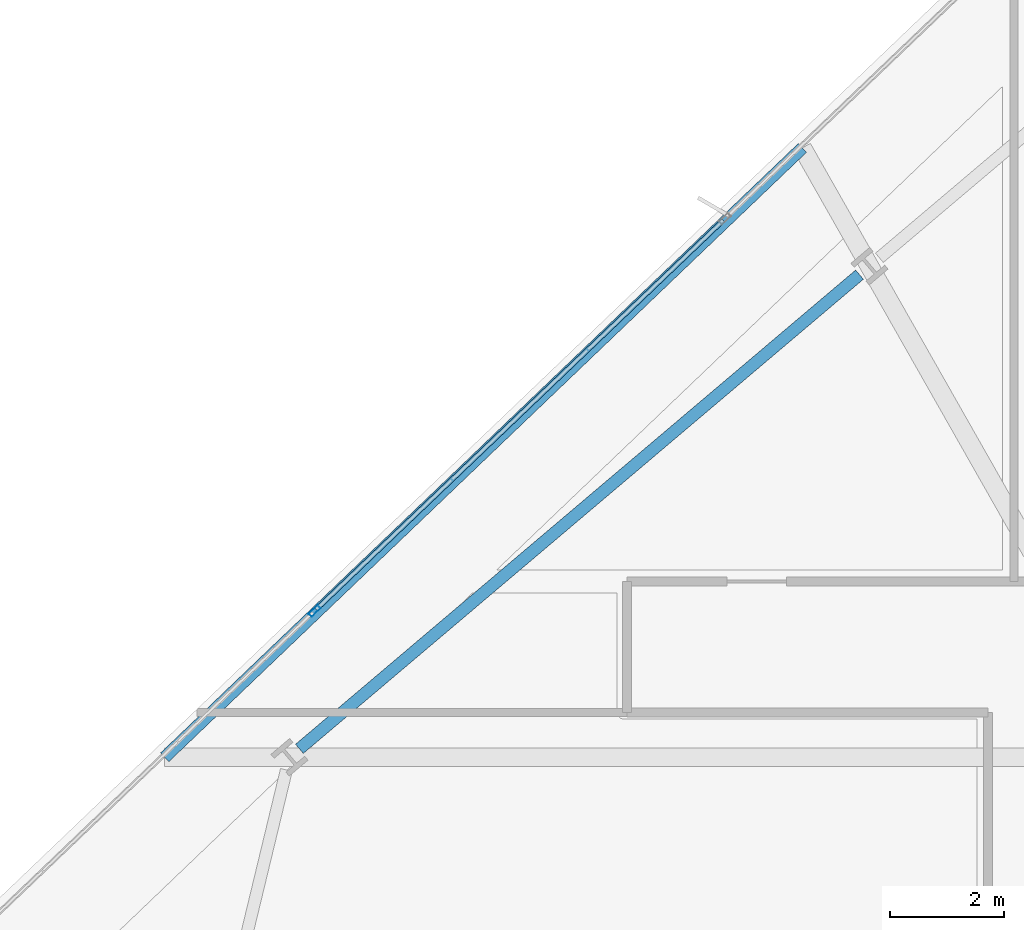
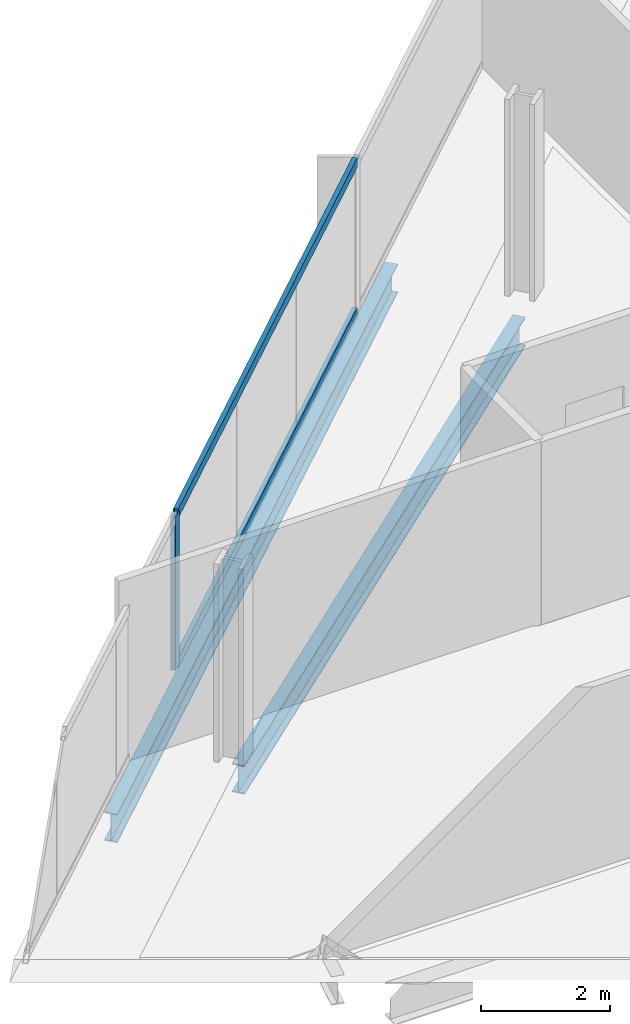
# One storey, part 15 of 33: 3 members, 2 beams, 1 element without a shape of its own.
"""IFC4 building model written with IfcOpenShell, lengths in metres."""

from ifc_helpers import new_model, si_unit, direction, frame, origin, origin_2d, place, context, subcontext, project, spatial, hollow_rectangle, i_section, extrude, material, material_profile, profile_set, type_object, element, aggregate, save


model = new_model("IFC4")

# Units and contexts
model_context = context("Model", 3, precision=1e-05, world=origin(), true_north=direction((0.0, 1.0)))
body_context = subcontext(model_context, "Body", "Model", "MODEL_VIEW")
ifc_project = project(units=[si_unit("LENGTHUNIT", "METRE"), si_unit("AREAUNIT", "SQUARE_METRE"), si_unit("VOLUMEUNIT", "CUBIC_METRE"), si_unit("PLANEANGLEUNIT", "RADIAN"), si_unit("MASSUNIT", "GRAM", prefix="KILO")], contexts=[model_context])

# Site, building, storey
site_placement = place(None, origin())
site = spatial("IfcSite", under=ifc_project, at=site_placement, CompositionType="ELEMENT")
building_placement = place(site_placement, origin())
building = spatial("IfcBuilding", under=site, at=building_placement, Name="Haldenkirk Collegiate Tower", CompositionType="ELEMENT")
storey_placement = place(building_placement, frame((0.0, 0.0, 174.449951171875)))
storey = spatial("IfcBuildingStorey", under=building, at=storey_placement, Name="L43", CompositionType="ELEMENT", Elevation=174.449951171875)

# Beams
ifc_material_1 = material(Name="Steel ASTM A992 Grade 50", Category="steel")
ifc_material_profile_1 = material_profile(ifc_material_1, i_section(OverallWidth=0.2119140625, OverallDepth=0.5439453125, WebThickness=0.01318359375, FlangeThickness=0.021240234375, at=origin_2d()), Name="W21X83")
ifc_profile_set_1 = profile_set([ifc_material_profile_1], Name="Steel ASTM A992 Grade 50")
beam_type = type_object("IfcBeamType", Name="BM-SPANDREL-W21X83", PredefinedType="SPANDREL", material=ifc_profile_set_1)
beam_1_placement = place(storey_placement, frame((22.288818359375, 41.841796875, -0.56201171875), z_axis=(-0.76322543275, -0.64613229203, 0.0), x_axis=(0.64613229203, -0.76322543275, 0.0)))
element("IfcBeam", 1, at=beam_1_placement, inside=storey, type_object=beam_type, Name="L43 perimeter spandrel beam 11", PredefinedType="SPANDREL", context=body_context, shape_type="SweptSolid", body=[
    extrude(i_section(OverallWidth=0.2119140625, OverallDepth=0.5439453125, WebThickness=0.01318359375, FlangeThickness=0.021240234375, at=origin_2d()), origin(), (0.0, 0.0, 1.0), 12.89794921875),
])
beam_2_placement = place(storey_placement, frame((21.28369140625, 44.068115234375, -0.56201171875), z_axis=(-0.722975654813, -0.690873506909, 0.0), x_axis=(0.690873506909, -0.722975654813, 0.0)))
element("IfcBeam", 2, at=beam_2_placement, inside=storey, type_object=beam_type, Name="L43 outer facade edge beam 3", PredefinedType="SPANDREL", context=body_context, shape_type="SweptSolid", body=[
    extrude(i_section(OverallWidth=0.2119140625, OverallDepth=0.5439453125, WebThickness=0.01318359375, FlangeThickness=0.021240234375, at=origin_2d()), origin(), (0.0, 0.0, 1.0), 15.499267578125),
])

# Curtain wall, members
ifc_material_2 = material(Name="Anodised architectural bronze aluminium", Category="aluminium")
curtain_wall_type = type_object("IfcCurtainWallType", Name="CW-SYS1-CONVEX-LOW", PredefinedType="USERDEFINED", material=ifc_material_2)
curtain_wall_placement = place(storey_placement, origin())
curtain_wall = element("IfcCurtainWall", 3, at=curtain_wall_placement, inside=storey, type_object=curtain_wall_type, Name="L43 Lower tower convex bronze-framed unitised curtain wall", ObjectType="UNITISED CURTAIN WALL", PredefinedType="USERDEFINED")
ifc_material_profile_2 = material_profile(ifc_material_2, hollow_rectangle(XDim=0.080078125, YDim=0.219970703125, WallThickness=0.0048828125, at=origin_2d()), Name="CW-MUL-1A")
ifc_profile_set_2 = profile_set([ifc_material_profile_2], Name="Anodised architectural bronze aluminium")
member_type_1 = type_object("IfcMemberType", Name="CW-MUL-1A", PredefinedType="MULLION", material=ifc_profile_set_2)
member_1_placement = place(storey_placement, frame((12.711669921875, 35.931884765625, 0.0), z_axis=(0.0, 0.0, 1.0), x_axis=(-0.690882167458, 0.722967378717, 0.0)))
member_1 = element("IfcMember", 4, at=member_1_placement, type_object=member_type_1, Name="CW-1A mullion 2", PredefinedType="MULLION", context=body_context, shape_type="SweptSolid", body=[
    extrude(hollow_rectangle(XDim=0.080078125, YDim=0.219970703125, WallThickness=0.0048828125, at=origin_2d()), origin(), (0.0, 0.0, 1.0), 2.9111328125),
])
ifc_material_profile_3 = material_profile(ifc_material_2, hollow_rectangle(XDim=0.080078125, YDim=0.179931640625, WallThickness=0.0048828125, at=origin_2d()), Name="CW-TRN-1A")
ifc_profile_set_3 = profile_set([ifc_material_profile_3], Name="Anodised architectural bronze aluminium")
member_type_2 = type_object("IfcMemberType", Name="CW-TRN-1A", PredefinedType="USERDEFINED", material=ifc_profile_set_3)
member_2_placement = place(storey_placement, frame((12.740478515625, 35.95947265625, 0.0400390625), z_axis=(0.722962209193, 0.690887577019, 0.0), x_axis=(-0.690887577019, 0.722962209193, 0.0)))
member_2 = element("IfcMember", 5, at=member_2_placement, type_object=member_type_2, Name="CW-1A transom 2.1", ObjectType="TRANSOM", PredefinedType="USERDEFINED", context=body_context, shape_type="SweptSolid", body=[
    extrude(hollow_rectangle(XDim=0.080078125, YDim=0.179931640625, WallThickness=0.0048828125, at=origin_2d()), origin(), (0.0, 0.0, 1.0), 9.89501953125),
])
member_3_placement = place(storey_placement, frame((12.740478515625, 35.95947265625, 2.87109375), z_axis=(0.722962209193, 0.690887577019, 0.0), x_axis=(-0.690887577019, 0.722962209193, 0.0)))
member_3 = element("IfcMember", 6, at=member_3_placement, type_object=member_type_2, Name="CW-1A transom 2.2", ObjectType="TRANSOM", PredefinedType="USERDEFINED", context=body_context, shape_type="SweptSolid", body=[
    extrude(hollow_rectangle(XDim=0.080078125, YDim=0.179931640625, WallThickness=0.0048828125, at=origin_2d()), origin(), (0.0, 0.0, 1.0), 9.89501953125),
])
aggregate(curtain_wall, [member_1, member_2, member_3])

save(model, "model.ifc")
